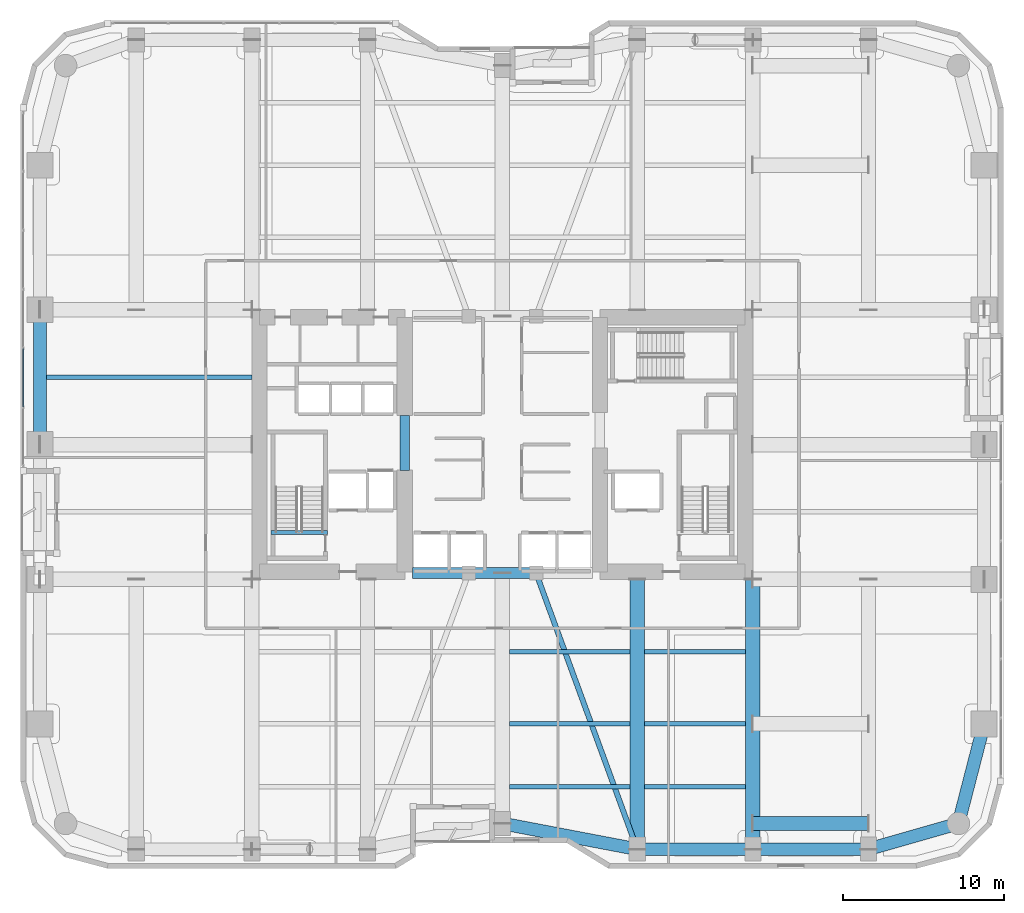
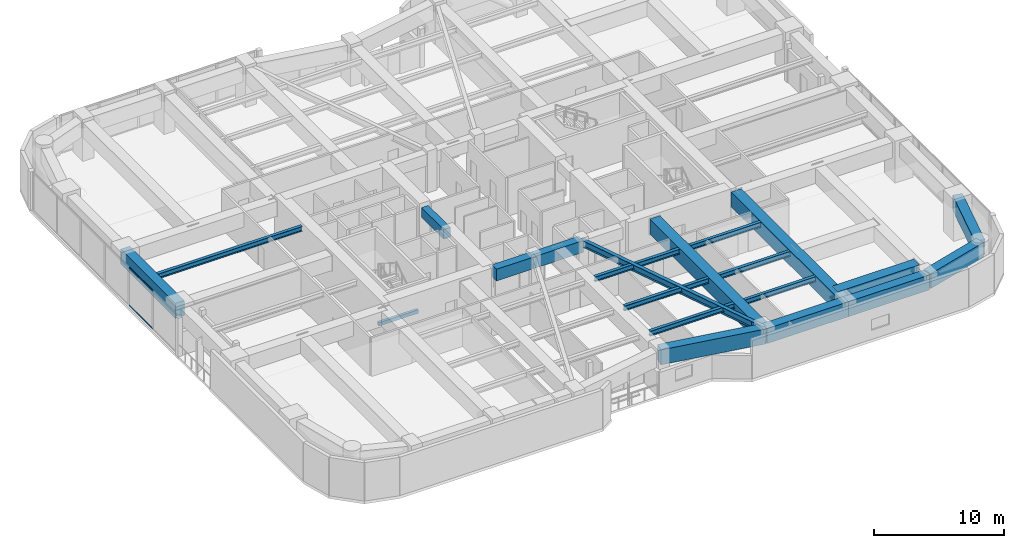
# One storey, part 3 of 28: 21 beams, 2 members, 1 element without a shape of its own.
"""IFC4 building model written with IfcOpenShell, lengths in metres."""

from ifc_helpers import new_model, si_unit, direction, frame, origin, origin_2d, place, context, subcontext, project, spatial, rectangle, hollow_rectangle, i_section, extrude, material, layer, layer_set, material_profile, profile_set, type_object, element, aggregate, save


model = new_model("IFC4")

# Units and contexts
model_context = context("Model", 3, precision=1e-05, world=origin(), true_north=direction((0.0, 1.0)))
body_context = subcontext(model_context, "Body", "Model", "MODEL_VIEW")
ifc_project = project(units=[si_unit("LENGTHUNIT", "METRE"), si_unit("AREAUNIT", "SQUARE_METRE"), si_unit("VOLUMEUNIT", "CUBIC_METRE"), si_unit("PLANEANGLEUNIT", "RADIAN"), si_unit("MASSUNIT", "GRAM", prefix="KILO")], contexts=[model_context])

# Site, building, storey
site_placement = place(None, origin())
site = spatial("IfcSite", under=ifc_project, at=site_placement, CompositionType="ELEMENT")
building_placement = place(site_placement, origin())
building = spatial("IfcBuilding", under=site, at=building_placement, Name="Kiyonajd Concourse Tower", CompositionType="ELEMENT")
storey_placement = place(building_placement, frame((0.0, 0.0, 76.800048828125)))
storey = spatial("IfcBuildingStorey", under=building, at=storey_placement, Name="L20", CompositionType="ELEMENT", Elevation=76.800048828125)

# Beams
ifc_material_1 = material(Name="Concrete C70/85", Category="concrete")
ifc_material_profile_1 = material_profile(ifc_material_1, rectangle(XDim=0.699951171875, YDim=1.10009765625, at=origin_2d()), Name="RCBM-700x1100")
ifc_profile_set_1 = profile_set([ifc_material_profile_1], Name="Concrete C70/85")
beam_type_1 = type_object("IfcBeamType", Name="BM-COUP-1100", PredefinedType="LINTEL", material=ifc_profile_set_1)
beam_1_placement = place(storey_placement, frame((42.39990234375, 28.0, 3.050048828125), z_axis=(1.0, 0.0, 0.0), x_axis=(0.0, 1.0, 0.0)))
element("IfcBeam", 1, at=beam_1_placement, inside=storey, type_object=beam_type_1, Name="L20 Core Coupling Beam S1", PredefinedType="LINTEL", context=body_context, shape_type="SweptSolid", body=[
    extrude(rectangle(XDim=0.699951171875, YDim=1.10009765625, at=origin_2d()), origin(), (0.0, 0.0, 1.0), 3.5),
])
beam_2_placement = place(storey_placement, frame((45.89990234375, 28.0, 3.050048828125), z_axis=(1.0, 0.0, 0.0), x_axis=(0.0, 1.0, 0.0)))
element("IfcBeam", 2, at=beam_2_placement, inside=storey, type_object=beam_type_1, Name="L20 Core Coupling Beam S2", PredefinedType="LINTEL", context=body_context, shape_type="SweptSolid", body=[
    extrude(rectangle(XDim=0.699951171875, YDim=1.10009765625, at=origin_2d()), origin(), (0.0, 0.0, 1.0), 4.2001953125),
])
ifc_material_2 = material(Name="Concrete C60/75", Category="concrete")
ifc_material_profile_2 = material_profile(ifc_material_2, rectangle(XDim=0.60009765625, YDim=0.89990234375, at=origin_2d()), Name="RCBM-600x900")
ifc_profile_set_2 = profile_set([ifc_material_profile_2], Name="Concrete C60/75")
beam_type_2 = type_object("IfcBeamType", Name="BM-COUP-900", PredefinedType="LINTEL", material=ifc_profile_set_2)
beam_3_placement = place(storey_placement, frame((41.925048828125, 34.39990234375, 3.050048828125), z_axis=(0.0, 1.0, 0.0), x_axis=(-1.0, 0.0, 0.0)))
element("IfcBeam", 3, at=beam_3_placement, inside=storey, type_object=beam_type_2, Name="L20 West Core Throat Coupling Lintel", PredefinedType="LINTEL", context=body_context, shape_type="SweptSolid", body=[
    extrude(rectangle(XDim=0.60009765625, YDim=0.89990234375, at=origin_2d()), origin(), (0.0, 0.0, 1.0), 3.400146484375),
])
ifc_material_3 = material(Name="Steel ASTM A992 Grade 50", Category="steel")
ifc_material_profile_3 = material_profile(ifc_material_3, i_section(OverallWidth=0.280029296875, OverallDepth=0.462890625, WebThickness=0.0107421875, FlangeThickness=0.017333984375, at=origin_2d()), Name="W460X113")
ifc_profile_set_3 = profile_set([ifc_material_profile_3], Name="Steel ASTM A992 Grade 50")
beam_type_3 = type_object("IfcBeamType", Name="BM-JST-460A", PredefinedType="JOIST", material=ifc_profile_set_3)
beam_4_placement = place(storey_placement, frame((48.449951171875, 14.699951171875, 3.368408203125), z_axis=(1.0, 0.0, 0.0), x_axis=(0.0, 1.0, 0.0)))
element("IfcBeam", 4, at=beam_4_placement, inside=storey, type_object=beam_type_3, Name="L20 Secondary Floor Joist", PredefinedType="JOIST", context=body_context, shape_type="SweptSolid", body=[
    extrude(i_section(OverallWidth=0.280029296875, OverallDepth=0.462890625, WebThickness=0.0107421875, FlangeThickness=0.017333984375, at=origin_2d()), origin(), (0.0, 0.0, 1.0), 7.5),
])
beam_5_placement = place(storey_placement, frame((56.85009765625, 14.699951171875, 3.368408203125), z_axis=(1.0, 0.0, 0.0), x_axis=(0.0, 1.0, 0.0)))
element("IfcBeam", 5, at=beam_5_placement, inside=storey, type_object=beam_type_3, Name="L20 Secondary Floor Joist", PredefinedType="JOIST", context=body_context, shape_type="SweptSolid", body=[
    extrude(i_section(OverallWidth=0.280029296875, OverallDepth=0.462890625, WebThickness=0.0107421875, FlangeThickness=0.017333984375, at=origin_2d()), origin(), (0.0, 0.0, 1.0), 6.2998046875),
])
beam_6_placement = place(storey_placement, frame((48.449951171875, 18.60009765625, 3.368408203125), z_axis=(1.0, 0.0, 0.0), x_axis=(0.0, 1.0, 0.0)))
element("IfcBeam", 6, at=beam_6_placement, inside=storey, type_object=beam_type_3, Name="L20 Secondary Floor Joist", PredefinedType="JOIST", context=body_context, shape_type="SweptSolid", body=[
    extrude(i_section(OverallWidth=0.280029296875, OverallDepth=0.462890625, WebThickness=0.0107421875, FlangeThickness=0.017333984375, at=origin_2d()), origin(), (0.0, 0.0, 1.0), 7.5),
])
beam_7_placement = place(storey_placement, frame((56.85009765625, 18.60009765625, 3.368408203125), z_axis=(1.0, 0.0, 0.0), x_axis=(0.0, 1.0, 0.0)))
element("IfcBeam", 7, at=beam_7_placement, inside=storey, type_object=beam_type_3, Name="L20 Secondary Floor Joist", PredefinedType="JOIST", context=body_context, shape_type="SweptSolid", body=[
    extrude(i_section(OverallWidth=0.280029296875, OverallDepth=0.462890625, WebThickness=0.0107421875, FlangeThickness=0.017333984375, at=origin_2d()), origin(), (0.0, 0.0, 1.0), 6.2998046875),
])
beam_8_placement = place(storey_placement, frame((48.449951171875, 23.10009765625, 3.368408203125), z_axis=(1.0, 0.0, 0.0), x_axis=(0.0, 1.0, 0.0)))
element("IfcBeam", 8, at=beam_8_placement, inside=storey, type_object=beam_type_3, Name="L20 Secondary Floor Joist", PredefinedType="JOIST", context=body_context, shape_type="SweptSolid", body=[
    extrude(i_section(OverallWidth=0.280029296875, OverallDepth=0.462890625, WebThickness=0.0107421875, FlangeThickness=0.017333984375, at=origin_2d()), origin(), (0.0, 0.0, 1.0), 7.5),
])
beam_9_placement = place(storey_placement, frame((56.85009765625, 23.10009765625, 3.368408203125), z_axis=(1.0, 0.0, 0.0), x_axis=(0.0, 1.0, 0.0)))
element("IfcBeam", 9, at=beam_9_placement, inside=storey, type_object=beam_type_3, Name="L20 Secondary Floor Joist", PredefinedType="JOIST", context=body_context, shape_type="SweptSolid", body=[
    extrude(i_section(OverallWidth=0.280029296875, OverallDepth=0.462890625, WebThickness=0.0107421875, FlangeThickness=0.017333984375, at=origin_2d()), origin(), (0.0, 0.0, 1.0), 6.2998046875),
])
beam_10_placement = place(storey_placement, frame((19.60009765625, 40.199951171875, 3.368408203125), z_axis=(1.0, 0.0, 0.0), x_axis=(0.0, 1.0, 0.0)))
element("IfcBeam", 10, at=beam_10_placement, inside=storey, type_object=beam_type_3, Name="L20 West Secondary Floor Joist", PredefinedType="JOIST", context=body_context, shape_type="SweptSolid", body=[
    extrude(i_section(OverallWidth=0.280029296875, OverallDepth=0.462890625, WebThickness=0.0107421875, FlangeThickness=0.017333984375, at=origin_2d()), origin(), (0.0, 0.0, 1.0), 12.7998046875),
])
ifc_material_4 = material(Name="Concrete C50/60", Category="concrete")
ifc_material_profile_4 = material_profile(ifc_material_4, rectangle(XDim=0.239990234375, YDim=0.320068359375, at=origin_2d()), Name="RCBM-240x320")
ifc_profile_set_4 = profile_set([ifc_material_profile_4], Name="Concrete C50/60")
beam_type_4 = type_object("IfcBeamType", Name="BM-LNT-250", PredefinedType="LINTEL", material=ifc_profile_set_4)
beam_11_placement = place(storey_placement, frame((33.590087890625, 30.530029296875, -0.16015625), z_axis=(1.0, 0.0, 0.0), x_axis=(0.0, 1.0, 0.0)))
element("IfcBeam", 11, at=beam_11_placement, inside=storey, type_object=beam_type_4, Name="L20 Stair ST1 Threshold Support Beam", PredefinedType="LINTEL", context=body_context, shape_type="SweptSolid", body=[
    extrude(rectangle(XDim=0.239990234375, YDim=0.320068359375, at=origin_2d()), origin(), (0.0, 0.0, 1.0), 3.52001953125),
])
ifc_material_profile_5 = material_profile(ifc_material_3, i_section(OverallWidth=0.326904296875, OverallDepth=0.6220703125, WebThickness=0.015380859375, FlangeThickness=0.0244140625, at=origin_2d()), Name="W610X195")
ifc_profile_set_5 = profile_set([ifc_material_profile_5], Name="Steel ASTM A992 Grade 50")
beam_type_5 = type_object("IfcBeamType", Name="BM-TWR-610A", PredefinedType="BEAM", material=ifc_profile_set_5)
beam_12_placement = place(storey_placement, frame((50.10009765625, 28.0, 3.2890625), z_axis=(0.343925269715, -0.938997022813, 0.0), x_axis=(0.938997022813, 0.343925269715, 0.0)))
element("IfcBeam", 12, at=beam_12_placement, inside=storey, type_object=beam_type_5, Name="L20 Core Tie Girder", PredefinedType="BEAM", context=body_context, shape_type="SweptSolid", body=[
    extrude(i_section(OverallWidth=0.326904296875, OverallDepth=0.6220703125, WebThickness=0.015380859375, FlangeThickness=0.0244140625, at=origin_2d()), origin(), (0.0, 0.0, 1.0), 18.3173828125),
])
ifc_material_5 = material(Name="Steel ASTM A572 Grade 50", Category="steel")
ifc_material_profile_6 = material_profile(ifc_material_5, hollow_rectangle(XDim=0.89990234375, YDim=1.39990234375, WallThickness=0.070068359375, at=origin_2d()), Name="BOX-1400x900x70")
ifc_profile_set_6 = profile_set([ifc_material_profile_6], Name="Steel ASTM A572 Grade 50")
beam_type_6 = type_object("IfcBeamType", Name="BM-XFER-1400", PredefinedType="BEAM", material=ifc_profile_set_6)
for number, where, z_axis, x_axis, name in (
    (13, (56.39990234375, 10.800048828125, 2.89990234375), (0.0, 1.0, 0.0), (-1.0, 0.0, 0.0), "L20 South Lease Girder"),
    (14, (63.60009765625, 10.800048828125, 2.89990234375), (0.0, 1.0, 0.0), (-1.0, 0.0, 0.0), "L20 South Lease Girder"),
):
    element("IfcBeam", number, at=place(storey_placement, frame(where, z_axis=z_axis, x_axis=x_axis)), inside=storey, type_object=beam_type_6, Name=name, PredefinedType="BEAM", context=body_context, shape_type="SweptSolid", body=[
        extrude(hollow_rectangle(XDim=0.89990234375, YDim=1.39990234375, WallThickness=0.070068359375, at=origin_2d()), origin(), (0.0, 0.0, 1.0), 16.800048828125),
    ])
ifc_material_profile_7 = material_profile(ifc_material_5, hollow_rectangle(XDim=0.89990234375, YDim=1.449951171875, WallThickness=0.074951171875, at=origin_2d()), Name="BOX-1450x900x75")
ifc_profile_set_7 = profile_set([ifc_material_profile_7], Name="Steel ASTM A572 Grade 50")
beam_type_7 = type_object("IfcBeamType", Name="BM-XFER-1800", PredefinedType="BEAM", material=ifc_profile_set_7)
beam_13_placement = place(storey_placement, frame((63.60009765625, 12.39990234375, 2.875), z_axis=(1.0, 0.0, 0.0), x_axis=(0.0, 1.0, 0.0)))
element("IfcBeam", 15, at=beam_13_placement, inside=storey, type_object=beam_type_7, Name="L20 Column Transfer Girder", PredefinedType="BEAM", context=body_context, shape_type="SweptSolid", body=[
    extrude(hollow_rectangle(XDim=0.89990234375, YDim=1.449951171875, WallThickness=0.074951171875, at=origin_2d()), origin(), (0.0, 0.0, 1.0), 7.199951171875),
])
ifc_material_profile_8 = material_profile(ifc_material_2, rectangle(XDim=0.800048828125, YDim=1.39990234375, at=origin_2d()), Name="RCBM-800x1400")
ifc_profile_set_8 = profile_set([ifc_material_profile_8], Name="Concrete C60/75")
beam_type_8 = type_object("IfcBeamType", Name="BM-XFER-RC", PredefinedType="BEAM", material=ifc_profile_set_8)
beam_14_placement = place(storey_placement, frame((48.0, 12.39990234375, 2.89990234375), z_axis=(0.982341315253, -0.187097675953, 0.0), x_axis=(0.187097675953, 0.982341315253, 0.0)))
element("IfcBeam", 16, at=beam_14_placement, inside=storey, type_object=beam_type_8, Name="L20 Perimeter Bundled Tube Spandrel", PredefinedType="BEAM", context=body_context, shape_type="SweptSolid", body=[
    extrude(rectangle(XDim=0.800048828125, YDim=1.39990234375, at=origin_2d()), origin(), (0.0, 0.0, 1.0), 8.55078125),
])
beam_15_placement = place(storey_placement, frame((56.39990234375, 10.800048828125, 2.89990234375), z_axis=(1.0, 0.0, 0.0), x_axis=(0.0, 1.0, 0.0)))
element("IfcBeam", 17, at=beam_15_placement, inside=storey, type_object=beam_type_8, Name="L20 Perimeter Bundled Tube Spandrel", PredefinedType="BEAM", context=body_context, shape_type="SweptSolid", body=[
    extrude(rectangle(XDim=0.800048828125, YDim=1.39990234375, at=origin_2d()), origin(), (0.0, 0.0, 1.0), 7.2001953125),
])
beam_16_placement = place(storey_placement, frame((63.60009765625, 10.800048828125, 2.89990234375), z_axis=(1.0, 0.0, 0.0), x_axis=(0.0, 1.0, 0.0)))
element("IfcBeam", 18, at=beam_16_placement, inside=storey, type_object=beam_type_8, Name="L20 Perimeter Bundled Tube Spandrel", PredefinedType="BEAM", context=body_context, shape_type="SweptSolid", body=[
    extrude(rectangle(XDim=0.800048828125, YDim=1.39990234375, at=origin_2d()), origin(), (0.0, 0.0, 1.0), 7.199951171875),
])
beam_17_placement = place(storey_placement, frame((70.800048828125, 10.800048828125, 2.9599609375), z_axis=(0.961528693205, 0.274704517878, 0.0), x_axis=(-0.274704517878, 0.961528693205, 0.0)))
element("IfcBeam", 19, at=beam_17_placement, inside=storey, type_object=beam_type_8, Name="L20 Perimeter Bundled Tube Spandrel", PredefinedType="BEAM", context=body_context, shape_type="SweptSolid", body=[
    extrude(rectangle(XDim=0.800048828125, YDim=1.39990234375, at=origin_2d()), origin(), (0.0, 0.0, 1.0), 5.823974609375),
])
beam_18_placement = place(storey_placement, frame((76.39990234375, 12.39990234375, 2.9599609375), z_axis=(0.249884937687, 0.968275538221, 0.0), x_axis=(-0.968275538221, 0.249884937687, 0.0)))
element("IfcBeam", 20, at=beam_18_placement, inside=storey, type_object=beam_type_8, Name="L20 Perimeter Bundled Tube Spandrel", PredefinedType="BEAM", context=body_context, shape_type="SweptSolid", body=[
    extrude(rectangle(XDim=0.800048828125, YDim=1.39990234375, at=origin_2d()), origin(), (0.0, 0.0, 1.0), 6.4033203125),
])
beam_19_placement = place(storey_placement, frame((19.199951171875, 44.39990234375, 2.89990234375), z_axis=(0.0, -1.0, 0.0), x_axis=(1.0, 0.0, 0.0)))
element("IfcBeam", 21, at=beam_19_placement, inside=storey, type_object=beam_type_8, Name="L20 Perimeter Bundled Tube Spandrel", PredefinedType="BEAM", context=body_context, shape_type="SweptSolid", body=[
    extrude(rectangle(XDim=0.800048828125, YDim=1.39990234375, at=origin_2d()), origin(), (0.0, 0.0, 1.0), 8.39990234375),
])

# Curtain wall, members
ifc_material_6 = material(Name="Thermally Broken Anodised Aluminium", Category="aluminium")
ifc_layer = layer(ifc_material_6, 0.179931640625)
ifc_layer_set = layer_set([ifc_layer], Name="Thermally Broken Anodised Aluminium")
curtain_wall_type = type_object("IfcCurtainWallType", Name="CW-SYS-02", PredefinedType="NOTDEFINED", material=ifc_layer_set)
curtain_wall_placement = place(storey_placement, origin())
curtain_wall = element("IfcCurtainWall", 22, at=curtain_wall_placement, inside=storey, type_object=curtain_wall_type, Name="L20 Unitised Curtain Wall CW2", PredefinedType="NOTDEFINED")
ifc_material_profile_9 = material_profile(ifc_material_6, hollow_rectangle(XDim=0.06494140625, YDim=0.139892578125, WallThickness=0.00390625, at=origin_2d()), Name="TRAN-65x140")
ifc_profile_set_9 = profile_set([ifc_material_profile_9], Name="Thermally Broken Anodised Aluminium")
member_type = type_object("IfcMemberType", Name="MB-CW-TRAN1", PredefinedType="USERDEFINED", material=ifc_profile_set_9)
member_1_placement = place(storey_placement, frame((18.159912109375, 38.355712890625, 0.032470703125), z_axis=(0.0, 1.0, 0.0), x_axis=(-1.0, 0.0, 0.0)))
member_1 = element("IfcMember", 23, at=member_1_placement, type_object=member_type, Name="CW2 transom 2.1", ObjectType="TRANSOM", PredefinedType="USERDEFINED", context=body_context, shape_type="SweptSolid", body=[
    extrude(hollow_rectangle(XDim=0.06494140625, YDim=0.139892578125, WallThickness=0.00390625, at=origin_2d()), origin(), (0.0, 0.0, 1.0), 3.608154296875),
])
member_2_placement = place(storey_placement, frame((18.159912109375, 38.355712890625, 3.5673828125), z_axis=(0.0, 1.0, 0.0), x_axis=(-1.0, 0.0, 0.0)))
member_2 = element("IfcMember", 24, at=member_2_placement, type_object=member_type, Name="CW2 transom 2.2", ObjectType="TRANSOM", PredefinedType="USERDEFINED", context=body_context, shape_type="SweptSolid", body=[
    extrude(hollow_rectangle(XDim=0.06494140625, YDim=0.139892578125, WallThickness=0.00390625, at=origin_2d()), origin(), (0.0, 0.0, 1.0), 3.608154296875),
])
aggregate(curtain_wall, [member_1, member_2])

save(model, "model.ifc")
